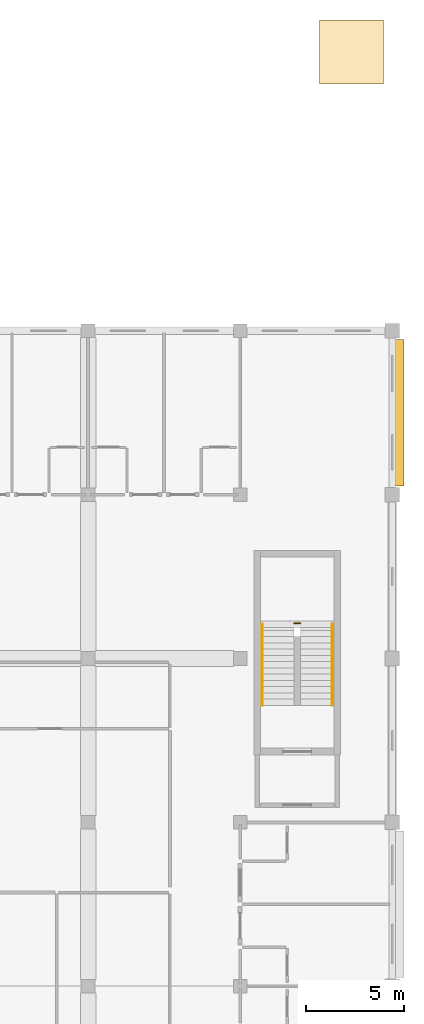
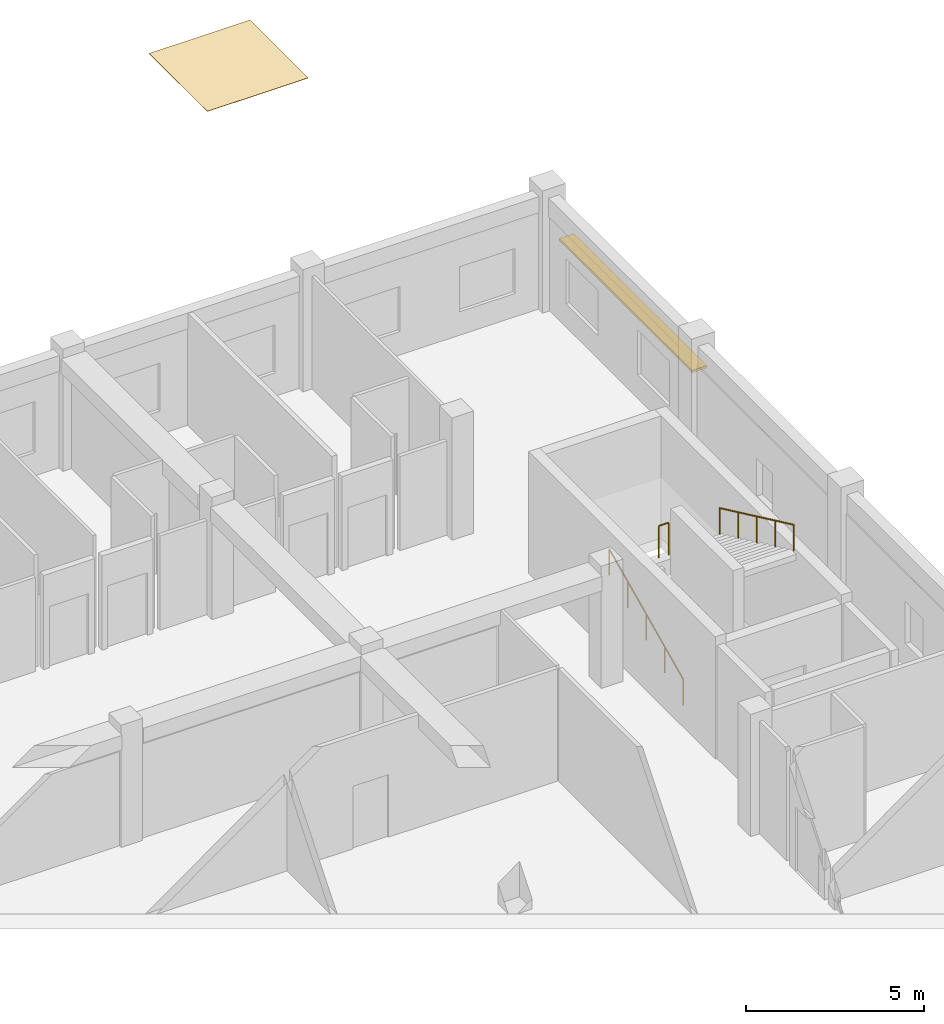
# One storey, part 53 of 53: 3 railings, 1 covering, 1 shading device.
"""IFC4 building model written with IfcOpenShell, lengths in metres."""

from ifc_helpers import new_model, si_unit, direction, frame, origin, origin_2d, place, context, subcontext, project, spatial, polyline, rectangle, circle, outline, extrude, material, layer, layer_set, type_object, element, save


model = new_model("IFC4")

# Units and contexts
model_context = context("Model", 3, precision=1e-05, world=origin(), true_north=direction((0.0, 1.0)))
body_context = subcontext(model_context, "Body", "Model", "MODEL_VIEW")
ifc_project = project(units=[si_unit("LENGTHUNIT", "METRE"), si_unit("AREAUNIT", "SQUARE_METRE"), si_unit("VOLUMEUNIT", "CUBIC_METRE"), si_unit("PLANEANGLEUNIT", "RADIAN"), si_unit("MASSUNIT", "GRAM", prefix="KILO"), si_unit("THERMODYNAMICTEMPERATUREUNIT", "KELVIN"), si_unit("POWERUNIT", "WATT")], contexts=[model_context])

# Site, building, storey
site_placement = place(None, origin())
site = spatial("IfcSite", under=ifc_project, at=site_placement, CompositionType="ELEMENT")
building_placement = place(site_placement, origin())
building = spatial("IfcBuilding", under=site, at=building_placement, Name="Srebrne Nadtorze General Hospital", CompositionType="ELEMENT")
storey_placement = place(building_placement, frame((0.0, 0.0, 18.0)))
storey = spatial("IfcBuildingStorey", under=building, at=storey_placement, Name="L04", CompositionType="ELEMENT", Elevation=18.0)

# Shading device
ifc_material_1 = material(Name="Anodised Aluminium", Category="aluminium")
ifc_layer_1 = layer(ifc_material_1, 0.080078125)
ifc_layer_set_1 = layer_set([ifc_layer_1], Name="Anodised Aluminium")
shading_device_type = type_object("IfcShadingDeviceType", Name="Hisashi horizontal aluminium sunshade", PredefinedType="JALOUSIE", material=ifc_layer_set_1)
shading_device_placement = place(storey_placement, frame((148.56005859375, 88.199951171875, 2.369873046875), z_axis=(0.0, 0.0, 1.0), x_axis=(1.0, 0.0, 0.0)))
element("IfcShadingDevice", 1, at=shading_device_placement, inside=storey, type_object=shading_device_type, Name="Hisashi horizontal sunshade eave LV-298", PredefinedType="JALOUSIE", context=body_context, shape_type="SweptSolid", body=[
    extrude(rectangle(XDim=0.47998046875, YDim=7.489990234375, at=origin_2d()), origin(), (0.0, 0.0, 1.0), 0.080078125),
])

# Covering
ifc_material_2 = material(Name="EPDM Waterproofing Membrane")
ifc_layer_2 = layer(ifc_material_2, 0.011962890625)
ifc_layer_set_2 = layer_set([ifc_layer_2], Name="EPDM Waterproofing Membrane")
covering_type = type_object("IfcCoveringType", Name="Inverted EPDM waterproof roof membrane", PredefinedType="ROOFING", material=ifc_layer_set_2)
covering_placement = place(storey_placement, frame((0.0, 0.0, 0.199951171875)))
element("IfcCovering", 2, at=covering_placement, inside=storey, type_object=covering_type, Name="Roof membrane covering CV-ROOF-FLUE-CAP", PredefinedType="ROOFING", context=body_context, shape_type="SweptSolid", body=[
    extrude(outline(polyline([(144.4599609375, 105.06005859375), (147.739990234375, 105.06005859375), (147.739990234375, 108.340087890625), (144.4599609375, 108.340087890625), (144.4599609375, 105.06005859375)])), origin(), (0.0, 0.0, 1.0), 0.011962890625),
])

# Railings
ifc_material_3 = material(Name="Stainless Steel 316", Category="steel")
railing_type_1 = type_object("IfcRailingType", Name="Stairwell safety guard 1120", PredefinedType="BALUSTRADE", material=ifc_material_3)
railing_1_placement = place(storey_placement, frame((143.1650390625, 77.39990234375, 2.10009765625)))
element("IfcRailing", 3, at=railing_1_placement, inside=storey, type_object=railing_type_1, Name="Half landing well guard ST-04-L04", PredefinedType="BALUSTRADE", context=body_context, shape_type="SweptSolid", body=[
    extrude(circle(Radius=0.02392578125, at=origin_2d()), frame((0.0, 0.0, 1.09619140625), z_axis=(1.0, 0.0, 0.0), x_axis=(0.0, 1.0, 0.0)), (0.0, 0.0, 1.0), 0.320068359375),
    extrude(circle(Radius=0.02099609375, at=origin_2d()), origin(), (0.0, 0.0, 1.0), 1.072021484375),
    extrude(circle(Radius=0.02099609375, at=origin_2d()), frame((0.320068359375, 0.0, 0.0)), (0.0, 0.0, 1.0), 1.072021484375),
])
ifc_material_4 = material(Name="Stainless Steel 316", Category="steel")
railing_type_2 = type_object("IfcRailingType", Name="Tubular stainless handrail 920", PredefinedType="HANDRAIL", material=ifc_material_4)
railing_2_placement = place(storey_placement, frame((141.530029296875, 73.199951171875, 0.14990234375)))
element("IfcRailing", 4, at=railing_2_placement, inside=storey, type_object=railing_type_2, Name="Stair flight handrail ST-04-L04 F1", PredefinedType="HANDRAIL", context=body_context, shape_type="SweptSolid", body=[
    extrude(circle(Radius=0.02392578125, at=origin_2d()), frame((0.0, 0.0, 0.89599609375), z_axis=(0.0, 0.905448725289, 0.424455658311), x_axis=(-1.0, 0.0, 0.0)), (0.0, 0.0, 1.0), 4.594482421875),
    extrude(circle(Radius=0.02099609375, at=origin_2d()), origin(), (0.0, 0.0, 1.0), 0.871826171875),
    extrude(circle(Radius=0.02099609375, at=origin_2d()), frame((0.0, 1.0400390625, 0.487548828125)), (0.0, 0.0, 1.0), 0.871826171875),
    extrude(circle(Radius=0.02099609375, at=origin_2d()), frame((0.0, 2.080078125, 0.97509765625)), (0.0, 0.0, 1.0), 0.871826171875),
    extrude(circle(Radius=0.02099609375, at=origin_2d()), frame((0.0, 3.1201171875, 1.462646484375)), (0.0, 0.0, 1.0), 0.871826171875),
    extrude(circle(Radius=0.02099609375, at=origin_2d()), frame((0.0, 4.16015625, 1.9501953125)), (0.0, 0.0, 1.0), 0.871826171875),
])
railing_3_placement = place(storey_placement, frame((145.1201171875, 77.360107421875, 2.25)))
element("IfcRailing", 5, at=railing_3_placement, inside=storey, type_object=railing_type_2, Name="Stair flight handrail ST-04-L04 F2", PredefinedType="HANDRAIL", context=body_context, shape_type="SweptSolid", body=[
    extrude(circle(Radius=0.02392578125, at=origin_2d()), frame((0.0, 0.0, 0.89599609375), z_axis=(0.0, -0.905469146335, 0.424412093414), x_axis=(1.0, 0.0, 0.0)), (0.0, 0.0, 1.0), 4.594482421875),
    extrude(circle(Radius=0.02099609375, at=origin_2d()), origin(), (0.0, 0.0, 1.0), 0.871826171875),
    extrude(circle(Radius=0.02099609375, at=origin_2d()), frame((0.0, -1.0400390625, 0.487548828125)), (0.0, 0.0, 1.0), 0.871826171875),
    extrude(circle(Radius=0.02099609375, at=origin_2d()), frame((0.0, -2.080078125, 0.97509765625)), (0.0, 0.0, 1.0), 0.871826171875),
    extrude(circle(Radius=0.02099609375, at=origin_2d()), frame((0.0, -3.1201171875, 1.46240234375)), (0.0, 0.0, 1.0), 0.871826171875),
    extrude(circle(Radius=0.02099609375, at=origin_2d()), frame((0.0, -4.16015625, 1.949951171875)), (0.0, 0.0, 1.0), 0.871826171875),
])

save(model, "model.ifc")
